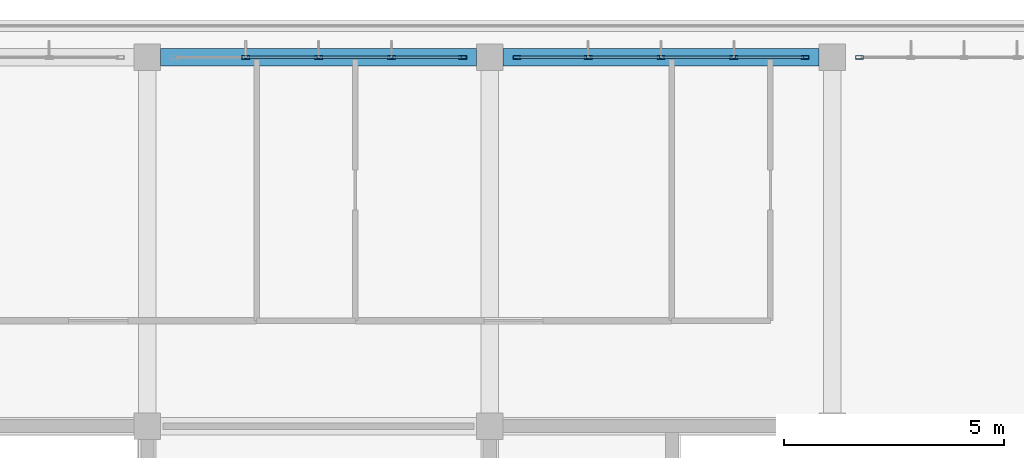
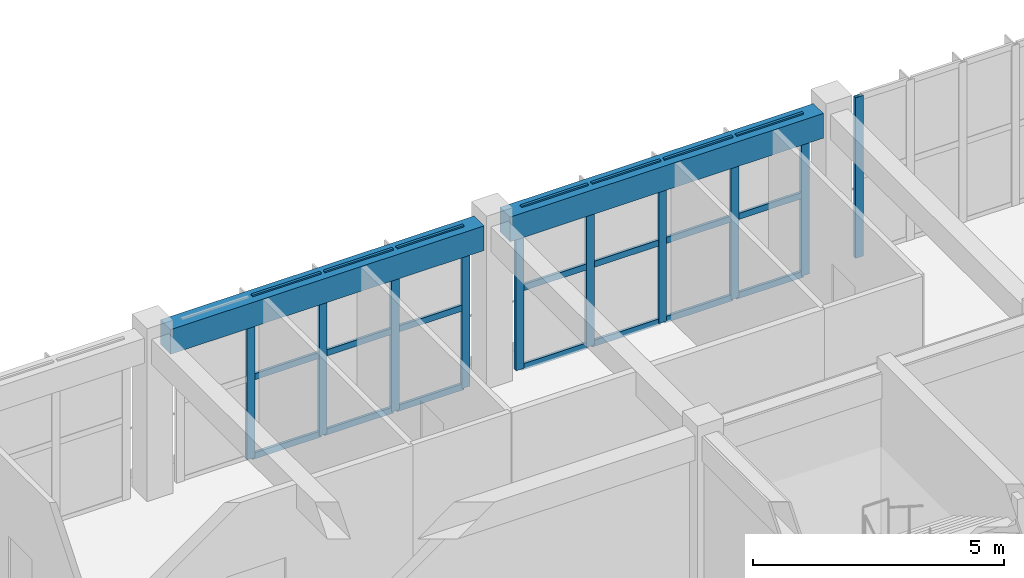
# One storey, part 26 of 50: 31 members, 2 beams, 3 elements without a shape of their own.
"""IFC4 building model written with IfcOpenShell, lengths in metres."""

from ifc_helpers import new_model, si_unit, direction, frame, origin, origin_2d, place, context, subcontext, project, spatial, rectangle, hollow_rectangle, extrude, material, layer, layer_set, material_profile, profile_set, type_object, element, aggregate, save


model = new_model("IFC4")

# Units and contexts
model_context = context("Model", 3, precision=1e-05, world=origin(), true_north=direction((0.0, 1.0)))
body_context = subcontext(model_context, "Body", "Model", "MODEL_VIEW")
ifc_project = project(units=[si_unit("LENGTHUNIT", "METRE"), si_unit("AREAUNIT", "SQUARE_METRE"), si_unit("VOLUMEUNIT", "CUBIC_METRE"), si_unit("PLANEANGLEUNIT", "RADIAN"), si_unit("MASSUNIT", "GRAM", prefix="KILO")], contexts=[model_context])

# Site, building, storey
site_placement = place(None, origin())
site = spatial("IfcSite", under=ifc_project, at=site_placement, CompositionType="ELEMENT")
building_placement = place(site_placement, origin())
building = spatial("IfcBuilding", under=site, at=building_placement, Name="Zizhar Promenade General Hospital", CompositionType="ELEMENT")
storey_placement = place(building_placement, frame((0.0, 0.0, 30.60009765625)))
storey = spatial("IfcBuildingStorey", under=building, at=storey_placement, Name="L07", CompositionType="ELEMENT", Elevation=30.60009765625)

# Beams
ifc_material_1 = material(Name="Concrete C35/45", Category="concrete")
ifc_material_profile_1 = material_profile(ifc_material_1, rectangle(XDim=0.39990234375, YDim=0.60009765625, at=origin_2d()))
ifc_profile_set_1 = profile_set([ifc_material_profile_1], Name="Concrete C35/45")
beam_type = type_object("IfcBeamType", Name="BM-RC-400x600", PredefinedType="JOIST", material=ifc_profile_set_1)
beam_1_placement = place(storey_placement, frame((86.10009765625, 25.199951171875, 3.60986328125), z_axis=(1.0, 0.0, 0.0), x_axis=(0.0, 1.0, 0.0)))
element("IfcBeam", 1, at=beam_1_placement, inside=storey, type_object=beam_type, Name="Grid Beam X L07 (11-3)", PredefinedType="JOIST", context=body_context, shape_type="SweptSolid", body=[
    extrude(rectangle(XDim=0.39990234375, YDim=0.60009765625, at=origin_2d()), origin(), (0.0, 0.0, 1.0), 7.199951171875),
])
beam_2_placement = place(storey_placement, frame((93.89990234375, 25.199951171875, 3.60986328125), z_axis=(1.0, 0.0, 0.0), x_axis=(0.0, 1.0, 0.0)))
element("IfcBeam", 2, at=beam_2_placement, inside=storey, type_object=beam_type, Name="Grid Beam X L07 (12-3)", PredefinedType="JOIST", context=body_context, shape_type="SweptSolid", body=[
    extrude(rectangle(XDim=0.39990234375, YDim=0.60009765625, at=origin_2d()), origin(), (0.0, 0.0, 1.0), 7.2001953125),
])

# Curtain wall, members
ifc_material_2 = material(Name="Anodised aluminium 6063-T6 and low-E glass", Category="aluminium")
ifc_layer = layer(ifc_material_2, 0.159912109375)
ifc_layer_set = layer_set([ifc_layer], Name="Anodised aluminium 6063-T6 and low-E glass")
curtain_wall_type = type_object("IfcCurtainWallType", Name="CW-WARD-RIB", PredefinedType="NOTDEFINED", material=ifc_layer_set)
curtain_wall_1_placement = place(storey_placement, origin())
curtain_wall_1 = element("IfcCurtainWall", 3, at=curtain_wall_1_placement, inside=storey, type_object=curtain_wall_type, Name="Ward Ribbon Curtain Wall L07-8-6", PredefinedType="NOTDEFINED")
ifc_material_3 = material(Name="Anodised aluminium 6063-T6", Category="aluminium")
ifc_material_profile_2 = material_profile(ifc_material_3, hollow_rectangle(XDim=0.080078125, YDim=0.179931640625, WallThickness=0.0048828125, at=origin_2d()))
ifc_profile_set_2 = profile_set([ifc_material_profile_2], Name="Anodised aluminium 6063-T6")
member_type_1 = type_object("IfcMemberType", Name="CWM-ALU-180x80", PredefinedType="MULLION", material=ifc_profile_set_2)
member_1_placement = place(storey_placement, frame((88.0400390625, 25.199951171875, 0.0), z_axis=(0.0, 0.0, 1.0), x_axis=(0.0, 1.0, 0.0)))
member_1 = element("IfcMember", 4, at=member_1_placement, type_object=member_type_1, Name="CW-13 mullion 2", PredefinedType="MULLION", context=body_context, shape_type="SweptSolid", body=[
    extrude(hollow_rectangle(XDim=0.080078125, YDim=0.179931640625, WallThickness=0.0048828125, at=origin_2d()), origin(), (0.0, 0.0, 1.0), 3.89990234375),
])
member_2_placement = place(storey_placement, frame((89.699951171875, 25.199951171875, 0.0), z_axis=(0.0, 0.0, 1.0), x_axis=(0.0, 1.0, 0.0)))
member_2 = element("IfcMember", 5, at=member_2_placement, type_object=member_type_1, Name="CW-13 mullion 3", PredefinedType="MULLION", context=body_context, shape_type="SweptSolid", body=[
    extrude(hollow_rectangle(XDim=0.080078125, YDim=0.179931640625, WallThickness=0.0048828125, at=origin_2d()), origin(), (0.0, 0.0, 1.0), 3.89990234375),
])
member_3_placement = place(storey_placement, frame((91.360107421875, 25.199951171875, 0.0), z_axis=(0.0, 0.0, 1.0), x_axis=(0.0, 1.0, 0.0)))
member_3 = element("IfcMember", 6, at=member_3_placement, type_object=member_type_1, Name="CW-13 mullion 4", PredefinedType="MULLION", context=body_context, shape_type="SweptSolid", body=[
    extrude(hollow_rectangle(XDim=0.080078125, YDim=0.179931640625, WallThickness=0.0048828125, at=origin_2d()), origin(), (0.0, 0.0, 1.0), 3.89990234375),
])
member_4_placement = place(storey_placement, frame((92.97998046875, 25.199951171875, 0.0), z_axis=(0.0, 0.0, 1.0), x_axis=(0.0, 1.0, 0.0)))
member_4 = element("IfcMember", 7, at=member_4_placement, type_object=member_type_1, Name="CW-13 mullion 5", PredefinedType="MULLION", context=body_context, shape_type="SweptSolid", body=[
    extrude(hollow_rectangle(XDim=0.080078125, YDim=0.179931640625, WallThickness=0.0048828125, at=origin_2d()), origin(), (0.0, 0.0, 1.0), 3.89990234375),
])

curtain_wall_2_placement = place(storey_placement, origin())
curtain_wall_2 = element("IfcCurtainWall", 8, at=curtain_wall_2_placement, inside=storey, type_object=curtain_wall_type, Name="Ward Ribbon Curtain Wall L07-8-7", PredefinedType="NOTDEFINED")
member_5_placement = place(storey_placement, frame((94.219970703125, 25.199951171875, 0.0), z_axis=(0.0, 0.0, 1.0), x_axis=(0.0, 1.0, 0.0)))
member_5 = element("IfcMember", 9, at=member_5_placement, type_object=member_type_1, Name="CW-13 mullion 1", PredefinedType="MULLION", context=body_context, shape_type="SweptSolid", body=[
    extrude(hollow_rectangle(XDim=0.080078125, YDim=0.179931640625, WallThickness=0.0048828125, at=origin_2d()), origin(), (0.0, 0.0, 1.0), 3.89990234375),
])
member_6_placement = place(storey_placement, frame((95.840087890625, 25.199951171875, 0.0), z_axis=(0.0, 0.0, 1.0), x_axis=(0.0, 1.0, 0.0)))
member_6 = element("IfcMember", 10, at=member_6_placement, type_object=member_type_1, Name="CW-13 mullion 2", PredefinedType="MULLION", context=body_context, shape_type="SweptSolid", body=[
    extrude(hollow_rectangle(XDim=0.080078125, YDim=0.179931640625, WallThickness=0.0048828125, at=origin_2d()), origin(), (0.0, 0.0, 1.0), 3.89990234375),
])
member_7_placement = place(storey_placement, frame((97.5, 25.199951171875, 0.0), z_axis=(0.0, 0.0, 1.0), x_axis=(0.0, 1.0, 0.0)))
member_7 = element("IfcMember", 11, at=member_7_placement, type_object=member_type_1, Name="CW-13 mullion 3", PredefinedType="MULLION", context=body_context, shape_type="SweptSolid", body=[
    extrude(hollow_rectangle(XDim=0.080078125, YDim=0.179931640625, WallThickness=0.0048828125, at=origin_2d()), origin(), (0.0, 0.0, 1.0), 3.89990234375),
])
member_8_placement = place(storey_placement, frame((99.159912109375, 25.199951171875, 0.0), z_axis=(0.0, 0.0, 1.0), x_axis=(0.0, 1.0, 0.0)))
member_8 = element("IfcMember", 12, at=member_8_placement, type_object=member_type_1, Name="CW-13 mullion 4", PredefinedType="MULLION", context=body_context, shape_type="SweptSolid", body=[
    extrude(hollow_rectangle(XDim=0.080078125, YDim=0.179931640625, WallThickness=0.0048828125, at=origin_2d()), origin(), (0.0, 0.0, 1.0), 3.89990234375),
])
member_9_placement = place(storey_placement, frame((100.780029296875, 25.199951171875, 0.0), z_axis=(0.0, 0.0, 1.0), x_axis=(0.0, 1.0, 0.0)))
member_9 = element("IfcMember", 13, at=member_9_placement, type_object=member_type_1, Name="CW-13 mullion 5", PredefinedType="MULLION", context=body_context, shape_type="SweptSolid", body=[
    extrude(hollow_rectangle(XDim=0.080078125, YDim=0.179931640625, WallThickness=0.0048828125, at=origin_2d()), origin(), (0.0, 0.0, 1.0), 3.89990234375),
])

# Curtain wall, member
curtain_wall_3_placement = place(storey_placement, origin())
curtain_wall_3 = element("IfcCurtainWall", 14, at=curtain_wall_3_placement, inside=storey, type_object=curtain_wall_type, Name="Ward Ribbon Curtain Wall L07-8-8", PredefinedType="NOTDEFINED")
member_10_placement = place(storey_placement, frame((102.02001953125, 25.199951171875, 0.0), z_axis=(0.0, 0.0, 1.0), x_axis=(0.0, 1.0, 0.0)))
member_10 = element("IfcMember", 15, at=member_10_placement, type_object=member_type_1, Name="CW-13 mullion 1", PredefinedType="MULLION", context=body_context, shape_type="SweptSolid", body=[
    extrude(hollow_rectangle(XDim=0.080078125, YDim=0.179931640625, WallThickness=0.0048828125, at=origin_2d()), origin(), (0.0, 0.0, 1.0), 3.89990234375),
])
aggregate(curtain_wall_3, [member_10])

# Member
ifc_material_4 = material(Name="Anodised aluminium 6063-T6", Category="aluminium")
ifc_material_profile_3 = material_profile(ifc_material_4, hollow_rectangle(XDim=0.06005859375, YDim=0.14990234375, WallThickness=0.00390625, at=origin_2d()))
ifc_profile_set_3 = profile_set([ifc_material_profile_3], Name="Anodised aluminium 6063-T6")
member_type_2 = type_object("IfcMemberType", Name="CWT-ALU-150x60", PredefinedType="USERDEFINED", material=ifc_profile_set_3)
member_11_placement = place(storey_placement, frame((88.080078125, 25.199951171875, 0.02978515625), z_axis=(1.0, 0.0, 0.0), x_axis=(0.0, 1.0, 0.0)))
member_11 = element("IfcMember", 16, at=member_11_placement, type_object=member_type_2, Name="CW-13 transom 2.1", ObjectType="TRANSOM", PredefinedType="USERDEFINED", context=body_context, shape_type="SweptSolid", body=[
    extrude(hollow_rectangle(XDim=0.06005859375, YDim=0.14990234375, WallThickness=0.00390625, at=origin_2d()), origin(), (0.0, 0.0, 1.0), 1.579833984375),
])

member_12_placement = place(storey_placement, frame((88.080078125, 25.199951171875, 1.949951171875), z_axis=(1.0, 0.0, 0.0), x_axis=(0.0, 1.0, 0.0)))
member_12 = element("IfcMember", 17, at=member_12_placement, type_object=member_type_2, Name="CW-13 transom 2.2", ObjectType="TRANSOM", PredefinedType="USERDEFINED", context=body_context, shape_type="SweptSolid", body=[
    extrude(hollow_rectangle(XDim=0.06005859375, YDim=0.14990234375, WallThickness=0.00390625, at=origin_2d()), origin(), (0.0, 0.0, 1.0), 1.579833984375),
])

member_13_placement = place(storey_placement, frame((88.080078125, 25.199951171875, 3.869873046875), z_axis=(1.0, 0.0, 0.0), x_axis=(0.0, 1.0, 0.0)))
member_13 = element("IfcMember", 18, at=member_13_placement, type_object=member_type_2, Name="CW-13 transom 2.3", ObjectType="TRANSOM", PredefinedType="USERDEFINED", context=body_context, shape_type="SweptSolid", body=[
    extrude(hollow_rectangle(XDim=0.06005859375, YDim=0.14990234375, WallThickness=0.00390625, at=origin_2d()), origin(), (0.0, 0.0, 1.0), 1.579833984375),
])

member_14_placement = place(storey_placement, frame((89.739990234375, 25.199951171875, 0.02978515625), z_axis=(1.0, 0.0, 0.0), x_axis=(0.0, 1.0, 0.0)))
member_14 = element("IfcMember", 19, at=member_14_placement, type_object=member_type_2, Name="CW-13 transom 3.1", ObjectType="TRANSOM", PredefinedType="USERDEFINED", context=body_context, shape_type="SweptSolid", body=[
    extrude(hollow_rectangle(XDim=0.06005859375, YDim=0.14990234375, WallThickness=0.00390625, at=origin_2d()), origin(), (0.0, 0.0, 1.0), 1.580078125),
])

member_15_placement = place(storey_placement, frame((89.739990234375, 25.199951171875, 1.949951171875), z_axis=(1.0, 0.0, 0.0), x_axis=(0.0, 1.0, 0.0)))
member_15 = element("IfcMember", 20, at=member_15_placement, type_object=member_type_2, Name="CW-13 transom 3.2", ObjectType="TRANSOM", PredefinedType="USERDEFINED", context=body_context, shape_type="SweptSolid", body=[
    extrude(hollow_rectangle(XDim=0.06005859375, YDim=0.14990234375, WallThickness=0.00390625, at=origin_2d()), origin(), (0.0, 0.0, 1.0), 1.580078125),
])

member_16_placement = place(storey_placement, frame((89.739990234375, 25.199951171875, 3.869873046875), z_axis=(1.0, 0.0, 0.0), x_axis=(0.0, 1.0, 0.0)))
member_16 = element("IfcMember", 21, at=member_16_placement, type_object=member_type_2, Name="CW-13 transom 3.3", ObjectType="TRANSOM", PredefinedType="USERDEFINED", context=body_context, shape_type="SweptSolid", body=[
    extrude(hollow_rectangle(XDim=0.06005859375, YDim=0.14990234375, WallThickness=0.00390625, at=origin_2d()), origin(), (0.0, 0.0, 1.0), 1.580078125),
])

member_17_placement = place(storey_placement, frame((91.39990234375, 25.199951171875, 0.02978515625), z_axis=(1.0, 0.0, 0.0), x_axis=(0.0, 1.0, 0.0)))
member_17 = element("IfcMember", 22, at=member_17_placement, type_object=member_type_2, Name="CW-13 transom 4.1", ObjectType="TRANSOM", PredefinedType="USERDEFINED", context=body_context, shape_type="SweptSolid", body=[
    extrude(hollow_rectangle(XDim=0.06005859375, YDim=0.14990234375, WallThickness=0.00390625, at=origin_2d()), origin(), (0.0, 0.0, 1.0), 1.5400390625),
])

member_18_placement = place(storey_placement, frame((91.39990234375, 25.199951171875, 1.949951171875), z_axis=(1.0, 0.0, 0.0), x_axis=(0.0, 1.0, 0.0)))
member_18 = element("IfcMember", 23, at=member_18_placement, type_object=member_type_2, Name="CW-13 transom 4.2", ObjectType="TRANSOM", PredefinedType="USERDEFINED", context=body_context, shape_type="SweptSolid", body=[
    extrude(hollow_rectangle(XDim=0.06005859375, YDim=0.14990234375, WallThickness=0.00390625, at=origin_2d()), origin(), (0.0, 0.0, 1.0), 1.5400390625),
])

member_19_placement = place(storey_placement, frame((91.39990234375, 25.199951171875, 3.869873046875), z_axis=(1.0, 0.0, 0.0), x_axis=(0.0, 1.0, 0.0)))
member_19 = element("IfcMember", 24, at=member_19_placement, type_object=member_type_2, Name="CW-13 transom 4.3", ObjectType="TRANSOM", PredefinedType="USERDEFINED", context=body_context, shape_type="SweptSolid", body=[
    extrude(hollow_rectangle(XDim=0.06005859375, YDim=0.14990234375, WallThickness=0.00390625, at=origin_2d()), origin(), (0.0, 0.0, 1.0), 1.5400390625),
])

aggregate(curtain_wall_1, [member_1, member_2, member_3, member_4, member_11, member_12, member_13, member_14, member_15, member_16, member_17, member_18, member_19])

member_20_placement = place(storey_placement, frame((94.260009765625, 25.199951171875, 0.02978515625), z_axis=(1.0, 0.0, 0.0), x_axis=(0.0, 1.0, 0.0)))
member_20 = element("IfcMember", 25, at=member_20_placement, type_object=member_type_2, Name="CW-13 transom 1.1", ObjectType="TRANSOM", PredefinedType="USERDEFINED", context=body_context, shape_type="SweptSolid", body=[
    extrude(hollow_rectangle(XDim=0.06005859375, YDim=0.14990234375, WallThickness=0.00390625, at=origin_2d()), origin(), (0.0, 0.0, 1.0), 1.5400390625),
])

member_21_placement = place(storey_placement, frame((94.260009765625, 25.199951171875, 1.949951171875), z_axis=(1.0, 0.0, 0.0), x_axis=(0.0, 1.0, 0.0)))
member_21 = element("IfcMember", 26, at=member_21_placement, type_object=member_type_2, Name="CW-13 transom 1.2", ObjectType="TRANSOM", PredefinedType="USERDEFINED", context=body_context, shape_type="SweptSolid", body=[
    extrude(hollow_rectangle(XDim=0.06005859375, YDim=0.14990234375, WallThickness=0.00390625, at=origin_2d()), origin(), (0.0, 0.0, 1.0), 1.5400390625),
])

member_22_placement = place(storey_placement, frame((94.260009765625, 25.199951171875, 3.869873046875), z_axis=(1.0, 0.0, 0.0), x_axis=(0.0, 1.0, 0.0)))
member_22 = element("IfcMember", 27, at=member_22_placement, type_object=member_type_2, Name="CW-13 transom 1.3", ObjectType="TRANSOM", PredefinedType="USERDEFINED", context=body_context, shape_type="SweptSolid", body=[
    extrude(hollow_rectangle(XDim=0.06005859375, YDim=0.14990234375, WallThickness=0.00390625, at=origin_2d()), origin(), (0.0, 0.0, 1.0), 1.5400390625),
])

member_23_placement = place(storey_placement, frame((95.8798828125, 25.199951171875, 0.02978515625), z_axis=(1.0, 0.0, 0.0), x_axis=(0.0, 1.0, 0.0)))
member_23 = element("IfcMember", 28, at=member_23_placement, type_object=member_type_2, Name="CW-13 transom 2.1", ObjectType="TRANSOM", PredefinedType="USERDEFINED", context=body_context, shape_type="SweptSolid", body=[
    extrude(hollow_rectangle(XDim=0.06005859375, YDim=0.14990234375, WallThickness=0.00390625, at=origin_2d()), origin(), (0.0, 0.0, 1.0), 1.580078125),
])

member_24_placement = place(storey_placement, frame((95.8798828125, 25.199951171875, 1.949951171875), z_axis=(1.0, 0.0, 0.0), x_axis=(0.0, 1.0, 0.0)))
member_24 = element("IfcMember", 29, at=member_24_placement, type_object=member_type_2, Name="CW-13 transom 2.2", ObjectType="TRANSOM", PredefinedType="USERDEFINED", context=body_context, shape_type="SweptSolid", body=[
    extrude(hollow_rectangle(XDim=0.06005859375, YDim=0.14990234375, WallThickness=0.00390625, at=origin_2d()), origin(), (0.0, 0.0, 1.0), 1.580078125),
])

member_25_placement = place(storey_placement, frame((95.8798828125, 25.199951171875, 3.869873046875), z_axis=(1.0, 0.0, 0.0), x_axis=(0.0, 1.0, 0.0)))
member_25 = element("IfcMember", 30, at=member_25_placement, type_object=member_type_2, Name="CW-13 transom 2.3", ObjectType="TRANSOM", PredefinedType="USERDEFINED", context=body_context, shape_type="SweptSolid", body=[
    extrude(hollow_rectangle(XDim=0.06005859375, YDim=0.14990234375, WallThickness=0.00390625, at=origin_2d()), origin(), (0.0, 0.0, 1.0), 1.580078125),
])

member_26_placement = place(storey_placement, frame((97.5400390625, 25.199951171875, 0.02978515625), z_axis=(1.0, 0.0, 0.0), x_axis=(0.0, 1.0, 0.0)))
member_26 = element("IfcMember", 31, at=member_26_placement, type_object=member_type_2, Name="CW-13 transom 3.1", ObjectType="TRANSOM", PredefinedType="USERDEFINED", context=body_context, shape_type="SweptSolid", body=[
    extrude(hollow_rectangle(XDim=0.06005859375, YDim=0.14990234375, WallThickness=0.00390625, at=origin_2d()), origin(), (0.0, 0.0, 1.0), 1.580078125),
])

member_27_placement = place(storey_placement, frame((97.5400390625, 25.199951171875, 1.949951171875), z_axis=(1.0, 0.0, 0.0), x_axis=(0.0, 1.0, 0.0)))
member_27 = element("IfcMember", 32, at=member_27_placement, type_object=member_type_2, Name="CW-13 transom 3.2", ObjectType="TRANSOM", PredefinedType="USERDEFINED", context=body_context, shape_type="SweptSolid", body=[
    extrude(hollow_rectangle(XDim=0.06005859375, YDim=0.14990234375, WallThickness=0.00390625, at=origin_2d()), origin(), (0.0, 0.0, 1.0), 1.580078125),
])

member_28_placement = place(storey_placement, frame((97.5400390625, 25.199951171875, 3.869873046875), z_axis=(1.0, 0.0, 0.0), x_axis=(0.0, 1.0, 0.0)))
member_28 = element("IfcMember", 33, at=member_28_placement, type_object=member_type_2, Name="CW-13 transom 3.3", ObjectType="TRANSOM", PredefinedType="USERDEFINED", context=body_context, shape_type="SweptSolid", body=[
    extrude(hollow_rectangle(XDim=0.06005859375, YDim=0.14990234375, WallThickness=0.00390625, at=origin_2d()), origin(), (0.0, 0.0, 1.0), 1.580078125),
])

member_29_placement = place(storey_placement, frame((99.199951171875, 25.199951171875, 0.02978515625), z_axis=(1.0, 0.0, 0.0), x_axis=(0.0, 1.0, 0.0)))
member_29 = element("IfcMember", 34, at=member_29_placement, type_object=member_type_2, Name="CW-13 transom 4.1", ObjectType="TRANSOM", PredefinedType="USERDEFINED", context=body_context, shape_type="SweptSolid", body=[
    extrude(hollow_rectangle(XDim=0.06005859375, YDim=0.14990234375, WallThickness=0.00390625, at=origin_2d()), origin(), (0.0, 0.0, 1.0), 1.5400390625),
])

member_30_placement = place(storey_placement, frame((99.199951171875, 25.199951171875, 1.949951171875), z_axis=(1.0, 0.0, 0.0), x_axis=(0.0, 1.0, 0.0)))
member_30 = element("IfcMember", 35, at=member_30_placement, type_object=member_type_2, Name="CW-13 transom 4.2", ObjectType="TRANSOM", PredefinedType="USERDEFINED", context=body_context, shape_type="SweptSolid", body=[
    extrude(hollow_rectangle(XDim=0.06005859375, YDim=0.14990234375, WallThickness=0.00390625, at=origin_2d()), origin(), (0.0, 0.0, 1.0), 1.5400390625),
])

member_31_placement = place(storey_placement, frame((99.199951171875, 25.199951171875, 3.869873046875), z_axis=(1.0, 0.0, 0.0), x_axis=(0.0, 1.0, 0.0)))
member_31 = element("IfcMember", 36, at=member_31_placement, type_object=member_type_2, Name="CW-13 transom 4.3", ObjectType="TRANSOM", PredefinedType="USERDEFINED", context=body_context, shape_type="SweptSolid", body=[
    extrude(hollow_rectangle(XDim=0.06005859375, YDim=0.14990234375, WallThickness=0.00390625, at=origin_2d()), origin(), (0.0, 0.0, 1.0), 1.5400390625),
])

aggregate(curtain_wall_2, [member_5, member_6, member_7, member_8, member_9, member_20, member_21, member_22, member_23, member_24, member_25, member_26, member_27, member_28, member_29, member_30, member_31])

save(model, "model.ifc")
